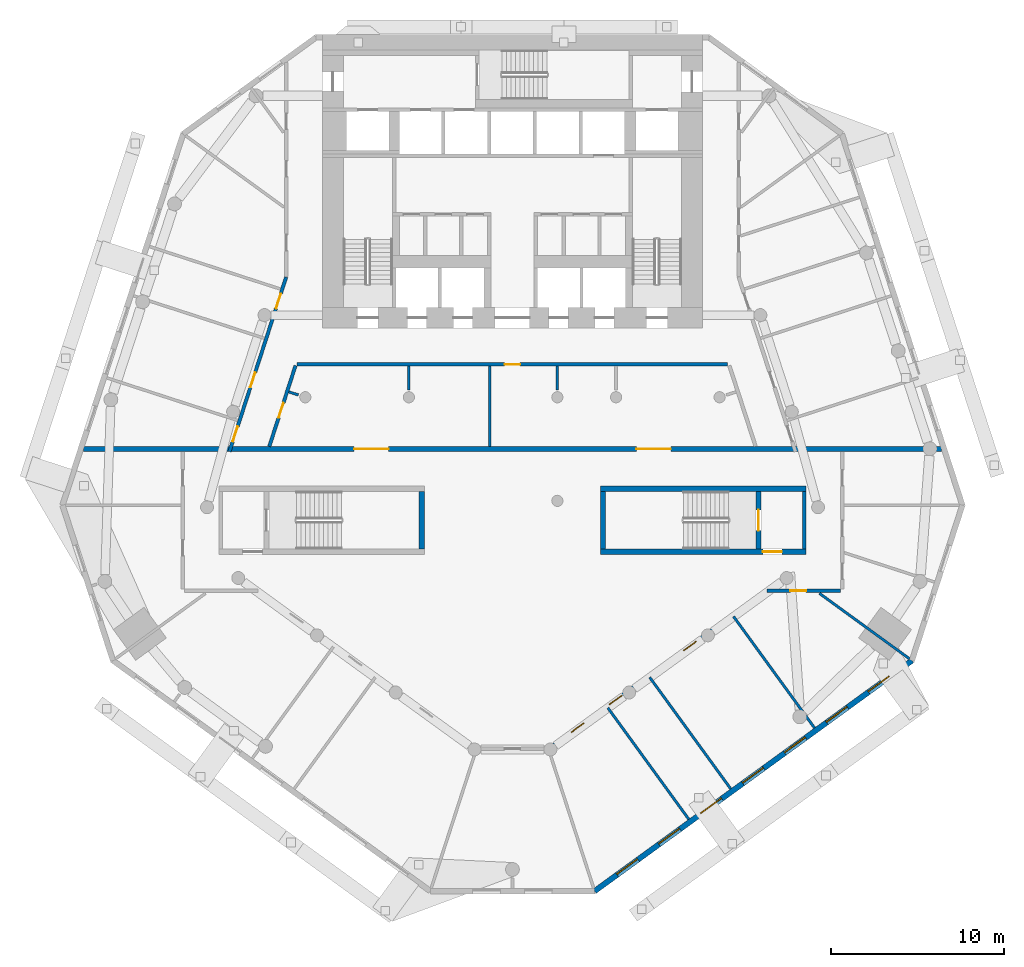
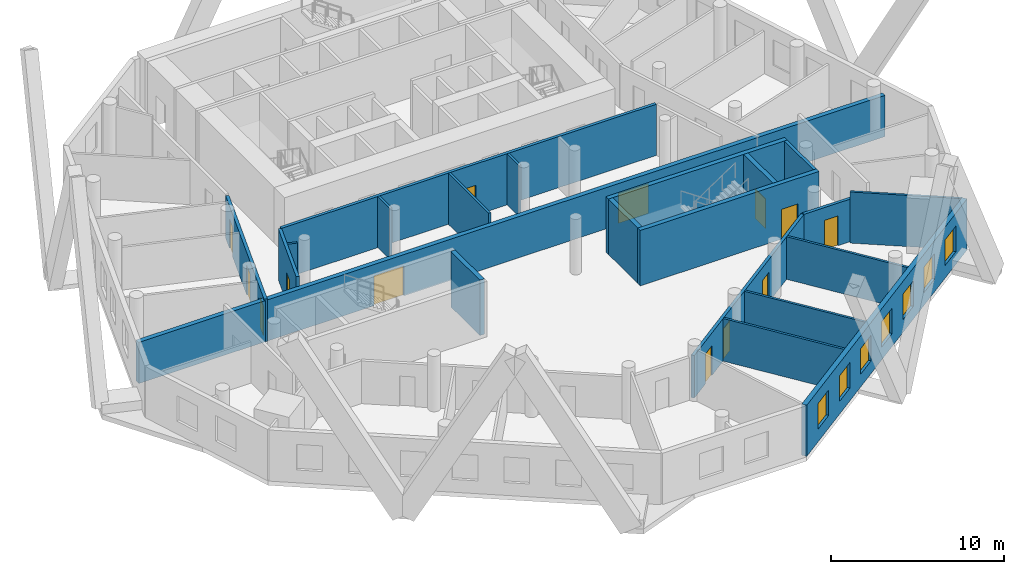
# One storey, part 4 of 10: 21 walls, 13 doors, 7 windows, 20 openings.
"""IFC4 building model written with IfcOpenShell, lengths in metres."""

from ifc_helpers import new_model, si_unit, direction, frame, frame_2d, origin, place, context, subcontext, project, spatial, rectangle, extrude, material, layer, layer_set, type_object, element, fill, save


model = new_model("IFC4")

# Units and contexts
model_context = context("Model", 3, precision=1e-05, world=origin(), true_north=direction((0.0, 1.0)))
body_context = subcontext(model_context, "Body", "Model", "MODEL_VIEW")
ifc_project = project(units=[si_unit("LENGTHUNIT", "METRE"), si_unit("AREAUNIT", "SQUARE_METRE"), si_unit("VOLUMEUNIT", "CUBIC_METRE"), si_unit("PLANEANGLEUNIT", "RADIAN"), si_unit("MASSUNIT", "GRAM", prefix="KILO")], contexts=[model_context])

# Site, building, storey
site_placement = place(None, origin())
site = spatial("IfcSite", under=ifc_project, at=site_placement, CompositionType="ELEMENT")
building_placement = place(site_placement, origin())
building = spatial("IfcBuilding", under=site, at=building_placement, Name="White Candle Pilgrim Tower", CompositionType="ELEMENT")
storey_placement = place(building_placement, frame((0.0, 0.0, 54.60009765625)))
storey = spatial("IfcBuildingStorey", under=building, at=storey_placement, Name="L10", CompositionType="ELEMENT", Elevation=54.60009765625)

# Wall
ifc_material_1 = material(Name="Concrete C70/85", Category="concrete")
ifc_layer_1 = layer(ifc_material_1, 0.199951171875)
ifc_layer_set_1 = layer_set([ifc_layer_1], Name="Core wall 200 mm Concrete C70/85")
wall_type_1 = type_object("IfcWallType", Name="Core wall 200 mm Concrete C70/85", PredefinedType="SHEAR", material=ifc_layer_set_1)
wall_1_placement = place(storey_placement, frame((86.89990234375, 58.199951171875, 0.0), z_axis=(0.0, 0.0, 1.0), x_axis=(0.0, 1.0, 0.0)))
element("IfcWall", 1, at=wall_1_placement, inside=storey, type_object=wall_type_1, Name="WL-L10-C08", PredefinedType="SHEAR", context=body_context, shape_type="SweptSolid", body=[
    extrude(rectangle(XDim=3.35009765625, YDim=0.199951171875, at=frame_2d((1.675048828125, 0.0))), origin(), (0.0, 0.0, 1.0), 3.89990234375),
])

# Wall, openings, doors
ifc_material_2 = material(Name="Gypsum board on steel studs", Category="steel")
ifc_layer_2 = layer(ifc_material_2, 0.199951171875)
ifc_layer_set_2 = layer_set([ifc_layer_2], Name="Corridor wall 200 mm EI 45")
wall_type_2 = type_object("IfcWallType", Name="Corridor wall 200 mm EI 45", PredefinedType="PARTITIONING", material=ifc_layer_set_2)
wall_2_placement = place(storey_placement, frame((53.610107421875, 63.85009765625, 0.0), z_axis=(0.0, 0.0, 1.0), x_axis=(0.308998312102, 0.951062586331, 0.0)))
wall_2 = element("IfcWall", 2, at=wall_2_placement, inside=storey, type_object=wall_type_2, Name="WL-L10-P002", PredefinedType="PARTITIONING", context=body_context, shape_type="SweptSolid", body=[
    extrude(rectangle(XDim=10.630859375, YDim=0.199951171875, at=frame_2d((5.3154296875, 0.0))), origin(), (0.0, 0.0, 1.0), 3.0),
])
opening_1_placement = place(wall_2_placement, frame((0.623291015625, 0.0, 0.0)))
opening_1 = element("IfcOpeningElement", 3, at=opening_1_placement, cuts=wall_2, Name="Opening T03-115", PredefinedType="OPENING", context=body_context, shape_type="SweptSolid", body=[
    extrude(rectangle(XDim=0.89990234375, YDim=2.10009765625, at=frame_2d((0.449951171875, 1.050048828125))), frame((0.0, 0.10986328125, 0.0), z_axis=(0.0, -1.0, 0.0), x_axis=(1.0, 0.0, 0.0)), (0.0, 0.0, 1.0), 0.219970703125),
])
opening_2_placement = place(wall_2_placement, frame((3.916748046875, 0.0, 0.0)))
opening_2 = element("IfcOpeningElement", 4, at=opening_2_placement, cuts=wall_2, Name="Opening T03-116", PredefinedType="OPENING", context=body_context, shape_type="SweptSolid", body=[
    extrude(rectangle(XDim=0.89990234375, YDim=2.10009765625, at=frame_2d((0.449951171875, 1.050048828125))), frame((0.0, 0.10986328125, 0.0), z_axis=(0.0, -1.0, 0.0), x_axis=(1.0, 0.0, 0.0)), (0.0, 0.0, 1.0), 0.219970703125),
])
opening_3_placement = place(wall_2_placement, frame((8.716552734375, 0.0, 0.0)))
opening_3 = element("IfcOpeningElement", 5, at=opening_3_placement, cuts=wall_2, Name="Opening T03-117", PredefinedType="OPENING", context=body_context, shape_type="SweptSolid", body=[
    extrude(rectangle(XDim=0.89990234375, YDim=2.10009765625, at=frame_2d((0.449951171875, 1.050048828125))), frame((0.0, 0.10986328125, 0.0), z_axis=(0.0, -1.0, 0.0), x_axis=(1.0, 0.0, 0.0)), (0.0, 0.0, 1.0), 0.219970703125),
])
ifc_material_3 = material(Name="Steel door leaf", Category="steel")
door_type_1 = type_object("IfcDoorType", Name="Fire door 900 x 2100 EI 30", OperationType="NOTDEFINED", PredefinedType="DOOR", material=ifc_material_3)
door_1_placement = place(opening_1_placement, origin())
door_1 = element("IfcDoor", 6, at=door_1_placement, inside=storey, type_object=door_type_1, Name="Door T03-115", OperationType="SINGLE_SWING_LEFT", OverallHeight=2.10009765625, OverallWidth=0.89990234375, PredefinedType="DOOR", context=body_context, shape_type="SweptSolid", body=[
    extrude(rectangle(XDim=0.89990234375, YDim=2.10009765625, at=frame_2d((0.449951171875, 1.050048828125))), frame((0.0, 0.02490234375, 0.0), z_axis=(0.0, -1.0, 0.0), x_axis=(1.0, 0.0, 0.0)), (0.0, 0.0, 1.0), 0.050048828125),
])
fill(opening_1, door_1)
door_2_placement = place(opening_2_placement, origin())
door_2 = element("IfcDoor", 7, at=door_2_placement, inside=storey, type_object=door_type_1, Name="Door T03-116", OperationType="SINGLE_SWING_RIGHT", OverallHeight=2.10009765625, OverallWidth=0.89990234375, PredefinedType="DOOR", context=body_context, shape_type="SweptSolid", body=[
    extrude(rectangle(XDim=0.89990234375, YDim=2.10009765625, at=frame_2d((0.449951171875, 1.050048828125))), frame((0.0, 0.02490234375, 0.0), z_axis=(0.0, -1.0, 0.0), x_axis=(1.0, 0.0, 0.0)), (0.0, 0.0, 1.0), 0.050048828125),
])
fill(opening_2, door_2)
door_3_placement = place(opening_3_placement, origin())
door_3 = element("IfcDoor", 8, at=door_3_placement, inside=storey, type_object=door_type_1, Name="Door T03-117", OperationType="SINGLE_SWING_LEFT", OverallHeight=2.10009765625, OverallWidth=0.89990234375, PredefinedType="DOOR", context=body_context, shape_type="SweptSolid", body=[
    extrude(rectangle(XDim=0.89990234375, YDim=2.10009765625, at=frame_2d((0.449951171875, 1.050048828125))), frame((0.0, 0.02490234375, 0.0), z_axis=(0.0, -1.0, 0.0), x_axis=(1.0, 0.0, 0.0)), (0.0, 0.0, 1.0), 0.050048828125),
])
fill(opening_3, door_3)

# Wall, opening, door
wall_3_placement = place(storey_placement, frame((89.0, 55.800048828125, 0.0), z_axis=(0.0, 0.0, 1.0), x_axis=(-1.0, 0.0, 0.0)))
wall_3 = element("IfcWall", 9, at=wall_3_placement, inside=storey, type_object=wall_type_2, Name="WL-L10-P007", PredefinedType="PARTITIONING", context=body_context, shape_type="SweptSolid", body=[
    extrude(rectangle(XDim=4.27099609375, YDim=0.199951171875, at=frame_2d((2.135498046875, 0.0))), origin(), (0.0, 0.0, 1.0), 3.0),
])
opening_4_placement = place(wall_3_placement, frame((1.996337890625, 0.0, 0.0)))
opening_4 = element("IfcOpeningElement", 10, at=opening_4_placement, cuts=wall_3, Name="Opening T03-109", PredefinedType="OPENING", context=body_context, shape_type="SweptSolid", body=[
    extrude(rectangle(XDim=0.89990234375, YDim=2.10009765625, at=frame_2d((0.449951171875, 1.050048828125))), frame((0.0, 0.10986328125, 0.0), z_axis=(0.0, -1.0, 0.0), x_axis=(1.0, 0.0, 0.0)), (0.0, 0.0, 1.0), 0.219970703125),
])
door_4_placement = place(opening_4_placement, origin())
door_4 = element("IfcDoor", 11, at=door_4_placement, inside=storey, type_object=door_type_1, Name="Door T03-109", OperationType="SINGLE_SWING_LEFT", OverallHeight=2.10009765625, OverallWidth=0.89990234375, PredefinedType="DOOR", context=body_context, shape_type="SweptSolid", body=[
    extrude(rectangle(XDim=0.89990234375, YDim=2.10009765625, at=frame_2d((0.449951171875, 1.050048828125))), frame((0.0, 0.02490234375, 0.0), z_axis=(0.0, -1.0, 0.0), x_axis=(1.0, 0.0, 0.0)), (0.0, 0.0, 1.0), 0.050048828125),
])
fill(opening_4, door_4)

# Wall, openings, doors
wall_4_placement = place(storey_placement, frame((84.67041015625, 55.781005859375, 0.0), z_axis=(0.0, 0.0, 1.0), x_axis=(-0.80901748899, -0.587784571512, 0.0)))
wall_4 = element("IfcWall", 12, at=wall_4_placement, inside=storey, type_object=wall_type_2, Name="WL-L10-P008", PredefinedType="PARTITIONING", context=body_context, shape_type="SweptSolid", body=[
    extrude(rectangle(XDim=15.52685546875, YDim=0.199951171875, at=frame_2d((7.763427734375, 0.0))), origin(), (0.0, 0.0, 1.0), 3.0),
])
opening_5_placement = place(wall_4_placement, frame((13.018798828125, 0.0, 0.0)))
opening_5 = element("IfcOpeningElement", 13, at=opening_5_placement, cuts=wall_4, Name="Opening T03-106", PredefinedType="OPENING", context=body_context, shape_type="SweptSolid", body=[
    extrude(rectangle(XDim=0.89990234375, YDim=2.10009765625, at=frame_2d((0.449951171875, 1.050048828125))), frame((0.0, 0.10986328125, 0.0), z_axis=(0.0, -1.0, 0.0), x_axis=(1.0, 0.0, 0.0)), (0.0, 0.0, 1.0), 0.219970703125),
])
opening_6_placement = place(wall_4_placement, frame((10.30322265625, 0.0, 0.0)))
opening_6 = element("IfcOpeningElement", 14, at=opening_6_placement, cuts=wall_4, Name="Opening T03-107", PredefinedType="OPENING", context=body_context, shape_type="SweptSolid", body=[
    extrude(rectangle(XDim=0.89990234375, YDim=2.10009765625, at=frame_2d((0.449951171875, 1.050048828125))), frame((0.0, 0.10986328125, 0.0), z_axis=(0.0, -1.0, 0.0), x_axis=(1.0, 0.0, 0.0)), (0.0, 0.0, 1.0), 0.219970703125),
])
opening_7_placement = place(wall_4_placement, frame((4.978271484375, 0.0, 0.0)))
opening_7 = element("IfcOpeningElement", 15, at=opening_7_placement, cuts=wall_4, Name="Opening T03-108", PredefinedType="OPENING", context=body_context, shape_type="SweptSolid", body=[
    extrude(rectangle(XDim=0.89990234375, YDim=2.10009765625, at=frame_2d((0.449951171875, 1.050048828125))), frame((0.0, 0.10986328125, 0.0), z_axis=(0.0, -1.0, 0.0), x_axis=(1.0, 0.0, 0.0)), (0.0, 0.0, 1.0), 0.219970703125),
])
door_5_placement = place(opening_5_placement, origin())
door_5 = element("IfcDoor", 16, at=door_5_placement, inside=storey, type_object=door_type_1, Name="Door T03-106", OperationType="SINGLE_SWING_RIGHT", OverallHeight=2.10009765625, OverallWidth=0.89990234375, PredefinedType="DOOR", context=body_context, shape_type="SweptSolid", body=[
    extrude(rectangle(XDim=0.89990234375, YDim=2.10009765625, at=frame_2d((0.449951171875, 1.050048828125))), frame((0.0, 0.02490234375, 0.0), z_axis=(0.0, -1.0, 0.0), x_axis=(1.0, 0.0, 0.0)), (0.0, 0.0, 1.0), 0.050048828125),
])
fill(opening_5, door_5)
door_6_placement = place(opening_6_placement, origin())
door_6 = element("IfcDoor", 17, at=door_6_placement, inside=storey, type_object=door_type_1, Name="Door T03-107", OperationType="SINGLE_SWING_LEFT", OverallHeight=2.10009765625, OverallWidth=0.89990234375, PredefinedType="DOOR", context=body_context, shape_type="SweptSolid", body=[
    extrude(rectangle(XDim=0.89990234375, YDim=2.10009765625, at=frame_2d((0.449951171875, 1.050048828125))), frame((0.0, 0.02490234375, 0.0), z_axis=(0.0, -1.0, 0.0), x_axis=(1.0, 0.0, 0.0)), (0.0, 0.0, 1.0), 0.050048828125),
])
fill(opening_6, door_6)
door_7_placement = place(opening_7_placement, origin())
door_7 = element("IfcDoor", 18, at=door_7_placement, inside=storey, type_object=door_type_1, Name="Door T03-108", OperationType="SINGLE_SWING_RIGHT", OverallHeight=2.10009765625, OverallWidth=0.89990234375, PredefinedType="DOOR", context=body_context, shape_type="SweptSolid", body=[
    extrude(rectangle(XDim=0.89990234375, YDim=2.10009765625, at=frame_2d((0.449951171875, 1.050048828125))), frame((0.0, 0.02490234375, 0.0), z_axis=(0.0, -1.0, 0.0), x_axis=(1.0, 0.0, 0.0)), (0.0, 0.0, 1.0), 0.050048828125),
])
fill(opening_7, door_7)

# Wall, opening, door
wall_5_placement = place(storey_placement, frame((82.468505859375, 68.89990234375, 0.0), z_axis=(0.0, 0.0, 1.0), x_axis=(-1.0, 0.0, 0.0)))
wall_5 = element("IfcWall", 19, at=wall_5_placement, inside=storey, type_object=wall_type_2, Name="WL-L10-P013", PredefinedType="PARTITIONING", context=body_context, shape_type="SweptSolid", body=[
    extrude(rectangle(XDim=24.93701171875, YDim=0.199951171875, at=frame_2d((12.468505859375, 0.0))), origin(), (0.0, 0.0, 1.0), 3.599853515625),
])
opening_8_placement = place(wall_5_placement, frame((12.0185546875, 0.0, 0.0)))
opening_8 = element("IfcOpeningElement", 20, at=opening_8_placement, cuts=wall_5, Name="Opening T03-130", PredefinedType="OPENING", context=body_context, shape_type="SweptSolid", body=[
    extrude(rectangle(XDim=0.89990234375, YDim=2.10009765625, at=frame_2d((0.449951171875, 1.050048828125))), frame((0.0, 0.10986328125, 0.0), z_axis=(0.0, -1.0, 0.0), x_axis=(1.0, 0.0, 0.0)), (0.0, 0.0, 1.0), 0.219970703125),
])
door_8_placement = place(opening_8_placement, origin())
door_8 = element("IfcDoor", 21, at=door_8_placement, inside=storey, type_object=door_type_1, Name="Door T03-130", OperationType="SINGLE_SWING_RIGHT", OverallHeight=2.10009765625, OverallWidth=0.89990234375, PredefinedType="DOOR", context=body_context, shape_type="SweptSolid", body=[
    extrude(rectangle(XDim=0.89990234375, YDim=2.10009765625, at=frame_2d((0.449951171875, 1.050048828125))), frame((0.0, 0.02490234375, 0.0), z_axis=(0.0, -1.0, 0.0), x_axis=(1.0, 0.0, 0.0)), (0.0, 0.0, 1.0), 0.050048828125),
])
fill(opening_8, door_8)

wall_6_placement = place(storey_placement, frame((57.436279296875, 68.830810546875, 0.0), z_axis=(0.0, 0.0, 1.0), x_axis=(-0.308986244793, -0.95106650689, 0.0)))
wall_6 = element("IfcWall", 22, at=wall_6_placement, inside=storey, type_object=wall_type_2, Name="WL-L10-P014", PredefinedType="PARTITIONING", context=body_context, shape_type="SweptSolid", body=[
    extrude(rectangle(XDim=4.921630859375, YDim=0.199951171875, at=frame_2d((2.4609375, 0.0))), origin(), (0.0, 0.0, 1.0), 3.599853515625),
])
opening_9_placement = place(wall_6_placement, frame((2.2705078125, 0.0, 0.0)))
opening_9 = element("IfcOpeningElement", 23, at=opening_9_placement, cuts=wall_6, Name="Opening T03-129", PredefinedType="OPENING", context=body_context, shape_type="SweptSolid", body=[
    extrude(rectangle(XDim=0.89990234375, YDim=2.10009765625, at=frame_2d((0.449951171875, 1.050048828125))), frame((0.0, 0.10986328125, 0.0), z_axis=(0.0, -1.0, 0.0), x_axis=(1.0, 0.0, 0.0)), (0.0, 0.0, 1.0), 0.219970703125),
])
door_9_placement = place(opening_9_placement, origin())
door_9 = element("IfcDoor", 24, at=door_9_placement, inside=storey, type_object=door_type_1, Name="Door T03-129", OperationType="SINGLE_SWING_LEFT", OverallHeight=2.10009765625, OverallWidth=0.89990234375, PredefinedType="DOOR", context=body_context, shape_type="SweptSolid", body=[
    extrude(rectangle(XDim=0.89990234375, YDim=2.10009765625, at=frame_2d((0.449951171875, 1.050048828125))), frame((0.0, 0.02490234375, 0.0), z_axis=(0.0, -1.0, 0.0), x_axis=(1.0, 0.0, 0.0)), (0.0, 0.0, 1.0), 0.050048828125),
])
fill(opening_9, door_9)

# Wall, openings, windows
ifc_material_4 = material(Name="Precast concrete C40/50", Category="concrete")
ifc_layer_3 = layer(ifc_material_4, 0.320068359375)
ifc_layer_set_3 = layer_set([ifc_layer_3], Name="Facade wall EW1 precast concrete C40/50 pier wall with timber-lined reveals")
wall_type_3 = type_object("IfcWallType", Name="Facade wall EW1 precast concrete C40/50 pier wall with timber-lined reveals", PredefinedType="SOLIDWALL", material=ifc_layer_set_3)
wall_7_placement = place(storey_placement, frame((74.760009765625, 38.3955078125, 0.0), z_axis=(0.0, 0.0, 1.0), x_axis=(0.809018094896, 0.587783737552, 0.0)))
wall_7 = element("IfcWall", 25, at=wall_7_placement, inside=storey, type_object=wall_type_3, Name="Facade wall L10 SE", PredefinedType="SOLIDWALL", context=body_context, shape_type="SweptSolid", body=[
    extrude(rectangle(XDim=22.71630859375, YDim=0.320068359375, at=frame_2d((11.358154296875, 0.0))), origin(), (0.0, 0.0, 1.0), 3.599853515625),
])
opening_10_placement = place(wall_7_placement, frame((1.608154296875, 0.0, 0.89990234375)))
opening_10 = element("IfcOpeningElement", 26, at=opening_10_placement, cuts=wall_7, Name="Opening W1", PredefinedType="OPENING", context=body_context, shape_type="SweptSolid", body=[
    extrude(rectangle(XDim=1.5, YDim=1.800048828125, at=frame_2d((0.75, 0.89990234375))), frame((0.0, 0.169921875, 0.0), z_axis=(0.0, -1.0, 0.0), x_axis=(1.0, 0.0, 0.0)), (0.0, 0.0, 1.0), 0.340087890625),
])
opening_11_placement = place(wall_7_placement, frame((4.608154296875, 0.0, 0.89990234375)))
opening_11 = element("IfcOpeningElement", 27, at=opening_11_placement, cuts=wall_7, Name="Opening W1", PredefinedType="OPENING", context=body_context, shape_type="SweptSolid", body=[
    extrude(rectangle(XDim=1.5, YDim=1.800048828125, at=frame_2d((0.75, 0.89990234375))), frame((0.0, 0.169921875, 0.0), z_axis=(0.0, -1.0, 0.0), x_axis=(1.0, 0.0, 0.0)), (0.0, 0.0, 1.0), 0.340087890625),
])
opening_12_placement = place(wall_7_placement, frame((7.608154296875, 0.0, 0.89990234375)))
opening_12 = element("IfcOpeningElement", 28, at=opening_12_placement, cuts=wall_7, Name="Opening W1", PredefinedType="OPENING", context=body_context, shape_type="SweptSolid", body=[
    extrude(rectangle(XDim=1.5, YDim=1.800048828125, at=frame_2d((0.75, 0.89990234375))), frame((0.0, 0.169921875, 0.0), z_axis=(0.0, -1.0, 0.0), x_axis=(1.0, 0.0, 0.0)), (0.0, 0.0, 1.0), 0.340087890625),
])
opening_13_placement = place(wall_7_placement, frame((10.608154296875, 0.0, 0.89990234375)))
opening_13 = element("IfcOpeningElement", 29, at=opening_13_placement, cuts=wall_7, Name="Opening W1", PredefinedType="OPENING", context=body_context, shape_type="SweptSolid", body=[
    extrude(rectangle(XDim=1.5, YDim=1.800048828125, at=frame_2d((0.75, 0.89990234375))), frame((0.0, 0.169921875, 0.0), z_axis=(0.0, -1.0, 0.0), x_axis=(1.0, 0.0, 0.0)), (0.0, 0.0, 1.0), 0.340087890625),
])
opening_14_placement = place(wall_7_placement, frame((13.608154296875, 0.0, 0.89990234375)))
opening_14 = element("IfcOpeningElement", 30, at=opening_14_placement, cuts=wall_7, Name="Opening W1", PredefinedType="OPENING", context=body_context, shape_type="SweptSolid", body=[
    extrude(rectangle(XDim=1.5, YDim=1.800048828125, at=frame_2d((0.75, 0.89990234375))), frame((0.0, 0.169921875, 0.0), z_axis=(0.0, -1.0, 0.0), x_axis=(1.0, 0.0, 0.0)), (0.0, 0.0, 1.0), 0.340087890625),
])
opening_15_placement = place(wall_7_placement, frame((16.608154296875, 0.0, 0.89990234375)))
opening_15 = element("IfcOpeningElement", 31, at=opening_15_placement, cuts=wall_7, Name="Opening W1", PredefinedType="OPENING", context=body_context, shape_type="SweptSolid", body=[
    extrude(rectangle(XDim=1.5, YDim=1.800048828125, at=frame_2d((0.75, 0.89990234375))), frame((0.0, 0.169921875, 0.0), z_axis=(0.0, -1.0, 0.0), x_axis=(1.0, 0.0, 0.0)), (0.0, 0.0, 1.0), 0.340087890625),
])
opening_16_placement = place(wall_7_placement, frame((19.608154296875, 0.0, 0.89990234375)))
opening_16 = element("IfcOpeningElement", 32, at=opening_16_placement, cuts=wall_7, Name="Opening W1", PredefinedType="OPENING", context=body_context, shape_type="SweptSolid", body=[
    extrude(rectangle(XDim=1.5, YDim=1.800048828125, at=frame_2d((0.75, 0.89990234375))), frame((0.0, 0.169921875, 0.0), z_axis=(0.0, -1.0, 0.0), x_axis=(1.0, 0.0, 0.0)), (0.0, 0.0, 1.0), 0.340087890625),
])
ifc_material_5 = material(Name="Timber frame with triple glazing", Category="wood")
window_type = type_object("IfcWindowType", Name="Window W1 1500x1800 timber frame triple glazing", PartitioningType="SINGLE_PANEL", PredefinedType="WINDOW", material=ifc_material_5)
window_1_placement = place(opening_10_placement, origin())
window_1 = element("IfcWindow", 33, at=window_1_placement, inside=storey, type_object=window_type, Name="Window W1 L10 SE 1", OverallHeight=1.800048828125, OverallWidth=1.5, PartitioningType="SINGLE_PANEL", PredefinedType="WINDOW", context=body_context, shape_type="SweptSolid", body=[
    extrude(rectangle(XDim=1.5, YDim=1.800048828125, at=frame_2d((0.75, 0.89990234375))), frame((0.0, 0.070068359375, 0.0), z_axis=(0.0, -1.0, 0.0), x_axis=(1.0, 0.0, 0.0)), (0.0, 0.0, 1.0), 0.06005859375),
])
fill(opening_10, window_1)
window_2_placement = place(opening_11_placement, origin())
window_2 = element("IfcWindow", 34, at=window_2_placement, inside=storey, type_object=window_type, Name="Window W1 L10 SE 2", OverallHeight=1.800048828125, OverallWidth=1.5, PartitioningType="SINGLE_PANEL", PredefinedType="WINDOW", context=body_context, shape_type="SweptSolid", body=[
    extrude(rectangle(XDim=1.5, YDim=1.800048828125, at=frame_2d((0.75, 0.89990234375))), frame((0.0, 0.070068359375, 0.0), z_axis=(0.0, -1.0, 0.0), x_axis=(1.0, 0.0, 0.0)), (0.0, 0.0, 1.0), 0.06005859375),
])
fill(opening_11, window_2)
window_3_placement = place(opening_12_placement, origin())
window_3 = element("IfcWindow", 35, at=window_3_placement, inside=storey, type_object=window_type, Name="Window W1 L10 SE 3", OverallHeight=1.800048828125, OverallWidth=1.5, PartitioningType="SINGLE_PANEL", PredefinedType="WINDOW", context=body_context, shape_type="SweptSolid", body=[
    extrude(rectangle(XDim=1.5, YDim=1.800048828125, at=frame_2d((0.75, 0.89990234375))), frame((0.0, 0.070068359375, 0.0), z_axis=(0.0, -1.0, 0.0), x_axis=(1.0, 0.0, 0.0)), (0.0, 0.0, 1.0), 0.06005859375),
])
fill(opening_12, window_3)
window_4_placement = place(opening_13_placement, origin())
window_4 = element("IfcWindow", 36, at=window_4_placement, inside=storey, type_object=window_type, Name="Window W1 L10 SE 4", OverallHeight=1.800048828125, OverallWidth=1.5, PartitioningType="SINGLE_PANEL", PredefinedType="WINDOW", context=body_context, shape_type="SweptSolid", body=[
    extrude(rectangle(XDim=1.5, YDim=1.800048828125, at=frame_2d((0.75, 0.89990234375))), frame((0.0, 0.070068359375, 0.0), z_axis=(0.0, -1.0, 0.0), x_axis=(1.0, 0.0, 0.0)), (0.0, 0.0, 1.0), 0.06005859375),
])
fill(opening_13, window_4)
window_5_placement = place(opening_14_placement, origin())
window_5 = element("IfcWindow", 37, at=window_5_placement, inside=storey, type_object=window_type, Name="Window W1 L10 SE 5", OverallHeight=1.800048828125, OverallWidth=1.5, PartitioningType="SINGLE_PANEL", PredefinedType="WINDOW", context=body_context, shape_type="SweptSolid", body=[
    extrude(rectangle(XDim=1.5, YDim=1.800048828125, at=frame_2d((0.75, 0.89990234375))), frame((0.0, 0.070068359375, 0.0), z_axis=(0.0, -1.0, 0.0), x_axis=(1.0, 0.0, 0.0)), (0.0, 0.0, 1.0), 0.06005859375),
])
fill(opening_14, window_5)
window_6_placement = place(opening_15_placement, origin())
window_6 = element("IfcWindow", 38, at=window_6_placement, inside=storey, type_object=window_type, Name="Window W1 L10 SE 6", OverallHeight=1.800048828125, OverallWidth=1.5, PartitioningType="SINGLE_PANEL", PredefinedType="WINDOW", context=body_context, shape_type="SweptSolid", body=[
    extrude(rectangle(XDim=1.5, YDim=1.800048828125, at=frame_2d((0.75, 0.89990234375))), frame((0.0, 0.070068359375, 0.0), z_axis=(0.0, -1.0, 0.0), x_axis=(1.0, 0.0, 0.0)), (0.0, 0.0, 1.0), 0.06005859375),
])
fill(opening_15, window_6)
window_7_placement = place(opening_16_placement, origin())
window_7 = element("IfcWindow", 39, at=window_7_placement, inside=storey, type_object=window_type, Name="Window W1 L10 SE 7", OverallHeight=1.800048828125, OverallWidth=1.5, PartitioningType="SINGLE_PANEL", PredefinedType="WINDOW", context=body_context, shape_type="SweptSolid", body=[
    extrude(rectangle(XDim=1.5, YDim=1.800048828125, at=frame_2d((0.75, 0.89990234375))), frame((0.0, 0.070068359375, 0.0), z_axis=(0.0, -1.0, 0.0), x_axis=(1.0, 0.0, 0.0)), (0.0, 0.0, 1.0), 0.06005859375),
])
fill(opening_16, window_7)

# Wall, openings, doors
ifc_material_6 = material(Name="Aerated concrete block", Category="concrete")
ifc_layer_4 = layer(ifc_material_6, 0.300048828125)
ifc_layer_set_4 = layer_set([ifc_layer_4], Name="Fire wall 300 mm REI 240")
wall_type_4 = type_object("IfcWallType", Name="Fire wall 300 mm REI 240", PredefinedType="PARTITIONING", material=ifc_layer_set_4)
wall_8_placement = place(storey_placement, frame((45.162841796875, 64.0, 0.0), z_axis=(0.0, 0.0, 1.0), x_axis=(1.0, 0.0, 0.0)))
wall_8 = element("IfcWall", 40, at=wall_8_placement, inside=storey, type_object=wall_type_4, Name="WL-L10-P001", PredefinedType="PARTITIONING", context=body_context, shape_type="SweptSolid", body=[
    extrude(rectangle(XDim=49.67431640625, YDim=0.300048828125, at=frame_2d((24.837158203125, 0.0))), origin(), (0.0, 0.0, 1.0), 2.89990234375),
])
opening_17_placement = place(wall_8_placement, frame((15.66650390625, 0.0, 0.0)))
opening_17 = element("IfcOpeningElement", 41, at=opening_17_placement, cuts=wall_8, Name="Opening T03-112", PredefinedType="OPENING", context=body_context, shape_type="SweptSolid", body=[
    extrude(rectangle(XDim=2.0, YDim=2.10009765625, at=frame_2d((1.0, 1.050048828125))), frame((0.0, 0.159912109375, 0.0), z_axis=(0.0, -1.0, 0.0), x_axis=(1.0, 0.0, 0.0)), (0.0, 0.0, 1.0), 0.320068359375),
])
opening_18_placement = place(wall_8_placement, frame((32.0078125, 0.0, 0.0)))
opening_18 = element("IfcOpeningElement", 42, at=opening_18_placement, cuts=wall_8, Name="Opening T03-113", PredefinedType="OPENING", context=body_context, shape_type="SweptSolid", body=[
    extrude(rectangle(XDim=2.0, YDim=2.10009765625, at=frame_2d((1.0, 1.050048828125))), frame((0.0, 0.159912109375, 0.0), z_axis=(0.0, -1.0, 0.0), x_axis=(1.0, 0.0, 0.0)), (0.0, 0.0, 1.0), 0.320068359375),
])
door_type_2 = type_object("IfcDoorType", Name="Fire door 2000 x 2100 EI 60", OperationType="NOTDEFINED", PredefinedType="DOOR", material=ifc_material_3)
door_10_placement = place(opening_17_placement, origin())
door_10 = element("IfcDoor", 43, at=door_10_placement, inside=storey, type_object=door_type_2, Name="Door T03-112", OperationType="DOUBLE_DOOR_SINGLE_SWING", OverallHeight=2.10009765625, OverallWidth=2.0, PredefinedType="DOOR", context=body_context, shape_type="SweptSolid", body=[
    extrude(rectangle(XDim=2.0, YDim=2.10009765625, at=frame_2d((1.0, 1.050048828125))), frame((0.0, 0.02490234375, 0.0), z_axis=(0.0, -1.0, 0.0), x_axis=(1.0, 0.0, 0.0)), (0.0, 0.0, 1.0), 0.050048828125),
])
fill(opening_17, door_10)
door_11_placement = place(opening_18_placement, origin())
door_11 = element("IfcDoor", 44, at=door_11_placement, inside=storey, type_object=door_type_2, Name="Door T03-113", OperationType="DOUBLE_DOOR_SINGLE_SWING", OverallHeight=2.10009765625, OverallWidth=2.0, PredefinedType="DOOR", context=body_context, shape_type="SweptSolid", body=[
    extrude(rectangle(XDim=2.0, YDim=2.10009765625, at=frame_2d((1.0, 1.050048828125))), frame((0.0, 0.02490234375, 0.0), z_axis=(0.0, -1.0, 0.0), x_axis=(1.0, 0.0, 0.0)), (0.0, 0.0, 1.0), 0.050048828125),
])
fill(opening_18, door_11)

# Walls
ifc_layer_5 = layer(ifc_material_2, 0.14990234375)
ifc_layer_set_5 = layer_set([ifc_layer_5], Name="Partition 150 mm EI 60")
wall_type_5 = type_object("IfcWallType", Name="Partition 150 mm EI 60", PredefinedType="PARTITIONING", material=ifc_layer_set_5)
wall_9_placement = place(storey_placement, frame((93.001953125, 51.8466796875, 0.0), z_axis=(0.0, 0.0, 1.0), x_axis=(-0.809002704112, 0.587804920649, 0.0)))
element("IfcWall", 45, at=wall_9_placement, inside=storey, type_object=wall_type_5, Name="WL-L10-P021", PredefinedType="PARTITIONING", context=body_context, shape_type="SweptSolid", body=[
    extrude(rectangle(XDim=6.452392578125, YDim=0.14990234375, at=frame_2d((3.22607421875, 0.0))), origin(), (0.0, 0.0, 1.0), 3.599853515625),
])
wall_10_placement = place(storey_placement, frame((80.21435546875, 42.55615234375, 0.0), z_axis=(0.0, 0.0, 1.0), x_axis=(-0.587785971812, 0.809016471613, 0.0)))
element("IfcWall", 46, at=wall_10_placement, inside=storey, type_object=wall_type_5, Name="WL-L10-P030", PredefinedType="PARTITIONING", context=body_context, shape_type="SweptSolid", body=[
    extrude(rectangle(XDim=7.979736328125, YDim=0.14990234375, at=frame_2d((3.98974609375, 0.0))), origin(), (0.0, 0.0, 1.0), 3.0),
])
wall_11_placement = place(storey_placement, frame((82.6416015625, 44.3193359375, 0.0), z_axis=(0.0, 0.0, 1.0), x_axis=(-0.587791447383, 0.809012493342, 0.0)))
element("IfcWall", 47, at=wall_11_placement, inside=storey, type_object=wall_type_5, Name="WL-L10-P031", PredefinedType="PARTITIONING", context=body_context, shape_type="SweptSolid", body=[
    extrude(rectangle(XDim=7.980224609375, YDim=0.14990234375, at=frame_2d((3.990234375, 0.0))), origin(), (0.0, 0.0, 1.0), 3.0),
])
wall_12_placement = place(storey_placement, frame((87.49560546875, 47.84619140625, 0.0), z_axis=(0.0, 0.0, 1.0), x_axis=(-0.587785971812, 0.809016471613, 0.0)))
element("IfcWall", 48, at=wall_12_placement, inside=storey, type_object=wall_type_5, Name="WL-L10-P032", PredefinedType="PARTITIONING", context=body_context, shape_type="SweptSolid", body=[
    extrude(rectangle(XDim=7.979736328125, YDim=0.14990234375, at=frame_2d((3.98974609375, 0.0))), origin(), (0.0, 0.0, 1.0), 3.0),
])
wall_13_placement = place(storey_placement, frame((68.696533203125, 64.14990234375, 0.0), z_axis=(0.0, 0.0, 1.0), x_axis=(0.0, 1.0, 0.0)))
element("IfcWall", 49, at=wall_13_placement, inside=storey, type_object=wall_type_5, Name="WL-L10-P039", PredefinedType="PARTITIONING", context=body_context, shape_type="SweptSolid", body=[
    extrude(rectangle(XDim=4.650146484375, YDim=0.14990234375, at=frame_2d((2.3251953125, 0.0))), origin(), (0.0, 0.0, 1.0), 3.599853515625),
])
wall_14_placement = place(storey_placement, frame((57.606201171875, 67.131103515625, 0.0), z_axis=(0.0, 0.0, 1.0), x_axis=(-0.9511501924, 0.30872854014, 0.0)))
element("IfcWall", 50, at=wall_14_placement, inside=storey, type_object=wall_type_5, Name="WL-L10-P043", PredefinedType="PARTITIONING", context=body_context, shape_type="SweptSolid", body=[
    extrude(rectangle(XDim=0.586669921875, YDim=0.14990234375, at=frame_2d((0.29345703125, 0.0))), origin(), (0.0, 0.0, 1.0), 3.599853515625),
])
for number, where, z_axis, x_axis, name in (
    (51, (63.997802734375, 67.4150390625, 0.0), (0.0, 0.0, 1.0), (0.0, 1.0, 0.0), "WL-L10-P044"),
    (52, (72.59765625, 67.4150390625, 0.0), (0.0, 0.0, 1.0), (0.0, 1.0, 0.0), "WL-L10-P045"),
):
    element("IfcWall", number, at=place(storey_placement, frame(where, z_axis=z_axis, x_axis=x_axis)), inside=storey, type_object=wall_type_5, Name=name, PredefinedType="PARTITIONING", context=body_context, shape_type="SweptSolid", body=[
        extrude(rectangle(XDim=1.385009765625, YDim=0.14990234375, at=frame_2d((0.6923828125, 0.0))), origin(), (0.0, 0.0, 1.0), 3.599853515625),
    ])

# Wall, opening, door
ifc_layer_6 = layer(ifc_material_1, 0.300048828125)
ifc_layer_set_6 = layer_set([ifc_layer_6], Name="Stair shaft wall 300 mm Concrete C70/85")
wall_type_6 = type_object("IfcWallType", Name="Stair shaft wall 300 mm Concrete C70/85", PredefinedType="SHEAR", material=ifc_layer_set_6)
wall_15_placement = place(storey_placement, frame((75.10009765625, 58.050048828125, 0.0), z_axis=(0.0, 0.0, 1.0), x_axis=(1.0, 0.0, 0.0)))
wall_15 = element("IfcWall", 53, at=wall_15_placement, inside=storey, type_object=wall_type_6, Name="WL-L10-C02", PredefinedType="SHEAR", context=body_context, shape_type="SweptSolid", body=[
    extrude(rectangle(XDim=11.89990234375, YDim=0.300048828125, at=frame_2d((5.949951171875, 0.0))), origin(), (0.0, 0.0, 1.0), 3.89990234375),
])
opening_19_placement = place(wall_15_placement, frame((9.39990234375, 0.0, 0.0)))
opening_19 = element("IfcOpeningElement", 54, at=opening_19_placement, cuts=wall_15, Name="Opening T03-009", PredefinedType="OPENING", context=body_context, shape_type="SweptSolid", body=[
    extrude(rectangle(XDim=1.10009765625, YDim=2.10009765625, at=frame_2d((0.550048828125, 1.050048828125))), frame((0.0, 0.159912109375, 0.0), z_axis=(0.0, -1.0, 0.0), x_axis=(1.0, 0.0, 0.0)), (0.0, 0.0, 1.0), 0.320068359375),
])
door_type_3 = type_object("IfcDoorType", Name="Fire door 1100 x 2100 EI 60", OperationType="NOTDEFINED", PredefinedType="DOOR", material=ifc_material_3)
door_12_placement = place(opening_19_placement, origin())
door_12 = element("IfcDoor", 55, at=door_12_placement, inside=storey, type_object=door_type_3, Name="Door T03-009", OperationType="SINGLE_SWING_LEFT", OverallHeight=2.10009765625, OverallWidth=1.10009765625, PredefinedType="DOOR", context=body_context, shape_type="SweptSolid", body=[
    extrude(rectangle(XDim=1.10009765625, YDim=2.10009765625, at=frame_2d((0.550048828125, 1.050048828125))), frame((0.0, 0.02490234375, 0.0), z_axis=(0.0, -1.0, 0.0), x_axis=(1.0, 0.0, 0.0)), (0.0, 0.0, 1.0), 0.050048828125),
])
fill(opening_19, door_12)

# Walls
for number, where, z_axis, x_axis, name in (
    (56, (64.75, 58.199951171875, 0.0), (0.0, 0.0, 1.0), (0.0, 1.0, 0.0), "WL-L10-C05"),
    (57, (75.25, 58.199951171875, 0.0), (0.0, 0.0, 1.0), (0.0, 1.0, 0.0), "WL-L10-C06"),
):
    element("IfcWall", number, at=place(storey_placement, frame(where, z_axis=z_axis, x_axis=x_axis)), inside=storey, type_object=wall_type_6, Name=name, PredefinedType="SHEAR", context=body_context, shape_type="SweptSolid", body=[
        extrude(rectangle(XDim=3.35009765625, YDim=0.300048828125, at=frame_2d((1.675048828125, 0.0))), origin(), (0.0, 0.0, 1.0), 3.89990234375),
    ])

# Wall, opening, door
wall_16_placement = place(storey_placement, frame((84.25, 58.199951171875, 0.0), z_axis=(0.0, 0.0, 1.0), x_axis=(0.0, 1.0, 0.0)))
wall_16 = element("IfcWall", 58, at=wall_16_placement, inside=storey, type_object=wall_type_6, Name="WL-L10-C07", PredefinedType="SHEAR", context=body_context, shape_type="SweptSolid", body=[
    extrude(rectangle(XDim=3.35009765625, YDim=0.300048828125, at=frame_2d((1.675048828125, 0.0))), origin(), (0.0, 0.0, 1.0), 3.89990234375),
])
opening_20_placement = place(wall_16_placement, frame((1.074951171875, 0.0, 0.0)))
opening_20 = element("IfcOpeningElement", 59, at=opening_20_placement, cuts=wall_16, Name="Opening T03-010", PredefinedType="OPENING", context=body_context, shape_type="SweptSolid", body=[
    extrude(rectangle(XDim=1.199951171875, YDim=2.10009765625, at=frame_2d((0.60009765625, 1.050048828125))), frame((0.0, 0.159912109375, 0.0), z_axis=(0.0, -1.0, 0.0), x_axis=(1.0, 0.0, 0.0)), (0.0, 0.0, 1.0), 0.320068359375),
])
door_type_4 = type_object("IfcDoorType", Name="Fire door 1200 x 2100 EI 60", OperationType="NOTDEFINED", PredefinedType="DOOR", material=ifc_material_3)
door_13_placement = place(opening_20_placement, origin())
door_13 = element("IfcDoor", 60, at=door_13_placement, inside=storey, type_object=door_type_4, Name="Door T03-010", OperationType="SINGLE_SWING_RIGHT", OverallHeight=2.10009765625, OverallWidth=1.199951171875, PredefinedType="DOOR", context=body_context, shape_type="SweptSolid", body=[
    extrude(rectangle(XDim=1.199951171875, YDim=2.10009765625, at=frame_2d((0.60009765625, 1.050048828125))), frame((0.0, 0.02490234375, 0.0), z_axis=(0.0, -1.0, 0.0), x_axis=(1.0, 0.0, 0.0)), (0.0, 0.0, 1.0), 0.050048828125),
])
fill(opening_20, door_13)

# Wall
wall_17_placement = place(storey_placement, frame((75.10009765625, 61.699951171875, 0.0), z_axis=(0.0, 0.0, 1.0), x_axis=(1.0, 0.0, 0.0)))
element("IfcWall", 61, at=wall_17_placement, inside=storey, type_object=wall_type_6, Name="WL-L10-C10", PredefinedType="SHEAR", context=body_context, shape_type="SweptSolid", body=[
    extrude(rectangle(XDim=11.89990234375, YDim=0.300048828125, at=frame_2d((5.949951171875, 0.0))), origin(), (0.0, 0.0, 1.0), 3.89990234375),
])

save(model, "model.ifc")
